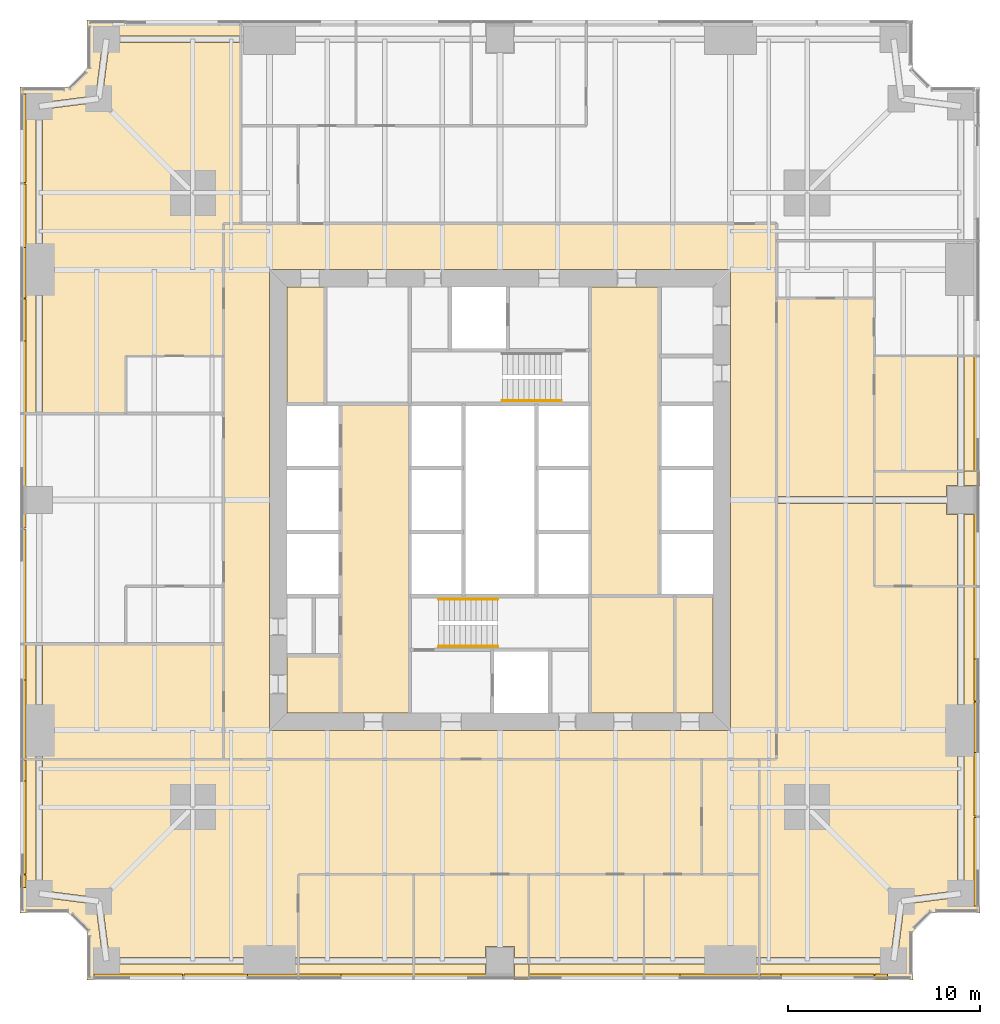
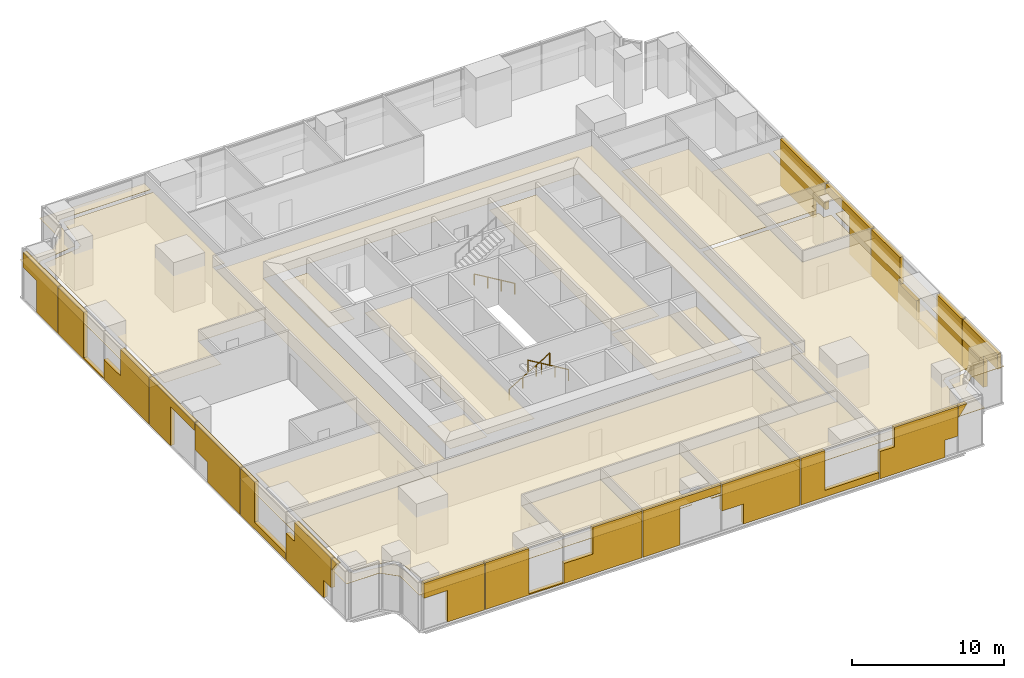
# One storey, part 13 of 14: 53 coverings, 3 railings.
"""IFC4 building model written with IfcOpenShell, lengths in metres."""

from ifc_helpers import new_model, si_unit, direction, frame, origin, origin_2d, place, context, subcontext, project, spatial, polyline, circle, outline, extrude, material, layer, layer_set, type_object, element, save


model = new_model("IFC4")

# Units and contexts
model_context = context("Model", 3, precision=1e-05, world=origin(), true_north=direction((0.0, 1.0)))
body_context = subcontext(model_context, "Body", "Model", "MODEL_VIEW")
ifc_project = project(units=[si_unit("LENGTHUNIT", "METRE"), si_unit("AREAUNIT", "SQUARE_METRE"), si_unit("VOLUMEUNIT", "CUBIC_METRE"), si_unit("PLANEANGLEUNIT", "RADIAN"), si_unit("MASSUNIT", "GRAM", prefix="KILO")], contexts=[model_context])

# Site, building, storey
site_placement = place(None, origin())
site = spatial("IfcSite", under=ifc_project, at=site_placement, CompositionType="ELEMENT")
building_placement = place(site_placement, origin())
building = spatial("IfcBuilding", under=site, at=building_placement, Name="Fenwick Lantern Interchange", CompositionType="ELEMENT")
storey_placement = place(building_placement, frame((0.0, 0.0, 83.0)))
storey = spatial("IfcBuildingStorey", under=building, at=storey_placement, Name="L19", CompositionType="ELEMENT", Elevation=83.0)

# Coverings
ifc_material_1 = material(Name="Mineral fibre acoustic tile on suspended grid")
ifc_layer_1 = layer(ifc_material_1, 0.02001953125)
ifc_layer_set_1 = layer_set([ifc_layer_1], Name="ACOUSTIC TILE CEILING 20")
covering_type_1 = type_object("IfcCoveringType", Name="ACOUSTIC TILE CEILING 20", PredefinedType="CEILING", material=ifc_layer_set_1)
covering_1_placement = place(storey_placement, frame((0.0, 0.0, 2.89990234375)))
element("IfcCovering", 1, at=covering_1_placement, inside=storey, type_object=covering_type_1, Name="Office suite ceiling", PredefinedType="CEILING", context=body_context, shape_type="SweptSolid", body=[
    extrude(outline(polyline([(35.5, 11.5), (1.17236328125, 11.5), (1.17236328125, 4.651611328125), (4.1220703125, 4.27099609375), (4.10009765625, 4.10009765625), (4.27099609375, 4.1220703125), (4.651611328125, 1.17236328125), (13.0, 1.17236328125), (14.5, 1.17236328125), (14.5, 5.5), (35.5, 5.5), (35.5, 11.5)])), origin(), (0.0, 0.0, 1.0), 0.02001953125),
])
covering_2_placement = place(storey_placement, frame((0.0, 0.0, 2.89990234375)))
element("IfcCovering", 2, at=covering_2_placement, inside=storey, type_object=covering_type_1, Name="Office suite ceiling", PredefinedType="CEILING", context=body_context, shape_type="SweptSolid", body=[
    extrude(outline(polyline([(0.0, 11.5), (0.0, 3.5), (2.5, 3.5), (3.5, 2.5), (3.5, 0.0), (14.5, 0.0), (14.5, 0.82763671875), (13.0, 0.82763671875), (4.5, 0.82763671875), (4.5, 1.0), (4.3291015625, 0.97802734375), (3.946044921875, 3.946044921875), (0.97802734375, 4.3291015625), (1.0, 4.5), (0.82763671875, 4.5), (0.82763671875, 11.5), (0.0, 11.5)])), origin(), (0.0, 0.0, 1.0), 0.02001953125),
])
covering_3_placement = place(storey_placement, frame((0.0, 0.0, 2.89990234375)))
element("IfcCovering", 3, at=covering_3_placement, inside=storey, type_object=covering_type_1, Name="Office ceiling", PredefinedType="CEILING", context=body_context, shape_type="SweptSolid", body=[
    extrude(outline(polyline([(14.5, 5.5), (14.5, 1.17236328125), (20.5, 1.17236328125), (20.5, 5.5), (14.5, 5.5)])), origin(), (0.0, 0.0, 1.0), 0.02001953125),
])
covering_4_placement = place(storey_placement, frame((0.0, 0.0, 2.89990234375)))
element("IfcCovering", 4, at=covering_4_placement, inside=storey, type_object=covering_type_1, Name="Office ceiling", PredefinedType="CEILING", context=body_context, shape_type="SweptSolid", body=[
    extrude(outline(polyline([(20.5, 0.0), (20.5, 0.82763671875), (14.5, 0.82763671875), (14.5, 0.0), (20.5, 0.0)])), origin(), (0.0, 0.0, 1.0), 0.02001953125),
])
covering_5_placement = place(storey_placement, frame((0.0, 0.0, 2.89990234375)))
element("IfcCovering", 5, at=covering_5_placement, inside=storey, type_object=covering_type_1, Name="Office ceiling", PredefinedType="CEILING", context=body_context, shape_type="SweptSolid", body=[
    extrude(outline(polyline([(20.5, 5.5), (20.5, 1.17236328125), (24.25, 1.17236328125), (24.25, 1.75), (25.75, 1.75), (25.75, 1.17236328125), (26.5, 1.17236328125), (26.5, 5.5), (20.5, 5.5)])), origin(), (0.0, 0.0, 1.0), 0.02001953125),
])
covering_6_placement = place(storey_placement, frame((0.0, 0.0, 2.89990234375)))
element("IfcCovering", 6, at=covering_6_placement, inside=storey, type_object=covering_type_1, Name="Office ceiling", PredefinedType="CEILING", context=body_context, shape_type="SweptSolid", body=[
    extrude(outline(polyline([(20.5, 0.82763671875), (20.5, 0.0), (24.25, 0.0), (24.25, 0.82763671875), (20.5, 0.82763671875)])), origin(), (0.0, 0.0, 1.0), 0.02001953125),
])
covering_7_placement = place(storey_placement, frame((0.0, 0.0, 2.89990234375)))
element("IfcCovering", 7, at=covering_7_placement, inside=storey, type_object=covering_type_1, Name="Office ceiling", PredefinedType="CEILING", context=body_context, shape_type="SweptSolid", body=[
    extrude(outline(polyline([(26.5, 0.0), (26.5, 0.82763671875), (25.75, 0.82763671875), (25.75, 0.0), (26.5, 0.0)])), origin(), (0.0, 0.0, 1.0), 0.02001953125),
])
covering_8_placement = place(storey_placement, frame((0.0, 0.0, 2.89990234375)))
element("IfcCovering", 8, at=covering_8_placement, inside=storey, type_object=covering_type_1, Name="Office ceiling", PredefinedType="CEILING", context=body_context, shape_type="SweptSolid", body=[
    extrude(outline(polyline([(26.5, 5.5), (26.5, 1.17236328125), (32.5, 1.17236328125), (32.5, 5.5), (26.5, 5.5)])), origin(), (0.0, 0.0, 1.0), 0.02001953125),
])
covering_9_placement = place(storey_placement, frame((0.0, 0.0, 2.89990234375)))
element("IfcCovering", 9, at=covering_9_placement, inside=storey, type_object=covering_type_1, Name="Office ceiling", PredefinedType="CEILING", context=body_context, shape_type="SweptSolid", body=[
    extrude(outline(polyline([(32.5, 0.0), (32.5, 0.82763671875), (26.5, 0.82763671875), (26.5, 0.0), (32.5, 0.0)])), origin(), (0.0, 0.0, 1.0), 0.02001953125),
])
covering_10_placement = place(storey_placement, frame((0.0, 0.0, 2.89990234375)))
element("IfcCovering", 10, at=covering_10_placement, inside=storey, type_object=covering_type_1, Name="Office ceiling", PredefinedType="CEILING", context=body_context, shape_type="SweptSolid", body=[
    extrude(outline(polyline([(32.5, 5.5), (32.5, 1.17236328125), (37.0, 1.17236328125), (38.5, 1.17236328125), (38.5, 5.5), (32.5, 5.5)])), origin(), (0.0, 0.0, 1.0), 0.02001953125),
])
covering_11_placement = place(storey_placement, frame((0.0, 0.0, 2.89990234375)))
element("IfcCovering", 11, at=covering_11_placement, inside=storey, type_object=covering_type_1, Name="Office ceiling", PredefinedType="CEILING", context=body_context, shape_type="SweptSolid", body=[
    extrude(outline(polyline([(38.5, 0.0), (38.5, 0.82763671875), (37.0, 0.82763671875), (32.5, 0.82763671875), (32.5, 0.0), (38.5, 0.0)])), origin(), (0.0, 0.0, 1.0), 0.02001953125),
])
covering_12_placement = place(storey_placement, frame((0.0, 0.0, 2.89990234375)))
element("IfcCovering", 12, at=covering_12_placement, inside=storey, type_object=covering_type_1, Name="Office suite ceiling", PredefinedType="CEILING", context=body_context, shape_type="SweptSolid", body=[
    extrude(outline(polyline([(38.5, 11.5), (38.5, 1.17236328125), (45.348388671875, 1.17236328125), (45.72900390625, 4.1220703125), (45.89990234375, 4.10009765625), (45.8779296875, 4.27099609375), (48.82763671875, 4.651611328125), (48.82763671875, 13.0), (48.82763671875, 20.5), (44.5, 20.5), (44.5, 24.824951171875), (39.39990234375, 24.824951171875), (39.39990234375, 11.5), (38.5, 11.5)])), origin(), (0.0, 0.0, 1.0), 0.02001953125),
])
covering_13_placement = place(storey_placement, frame((0.0, 0.0, 2.89990234375)))
element("IfcCovering", 13, at=covering_13_placement, inside=storey, type_object=covering_type_1, Name="Office suite ceiling", PredefinedType="CEILING", context=body_context, shape_type="SweptSolid", body=[
    extrude(outline(polyline([(39.39990234375, 35.5), (39.39990234375, 25.175048828125), (44.5, 25.175048828125), (44.5, 35.5), (39.39990234375, 35.5)])), origin(), (0.0, 0.0, 1.0), 0.02001953125),
])
covering_14_placement = place(storey_placement, frame((0.0, 0.0, 2.89990234375)))
element("IfcCovering", 14, at=covering_14_placement, inside=storey, type_object=covering_type_1, Name="Office suite ceiling", PredefinedType="CEILING", context=body_context, shape_type="SweptSolid", body=[
    extrude(outline(polyline([(50.0, 3.5), (50.0, 20.5), (49.17236328125, 20.5), (49.17236328125, 13.0), (49.17236328125, 4.5), (49.0, 4.5), (49.02197265625, 4.3291015625), (46.053955078125, 3.946044921875), (45.6708984375, 0.97802734375), (45.5, 1.0), (45.5, 0.82763671875), (38.5, 0.82763671875), (38.5, 0.0), (46.5, 0.0), (46.5, 2.5), (47.5, 3.5), (50.0, 3.5)])), origin(), (0.0, 0.0, 1.0), 0.02001953125),
])
covering_15_placement = place(storey_placement, frame((0.0, 0.0, 2.89990234375)))
element("IfcCovering", 15, at=covering_15_placement, inside=storey, type_object=covering_type_1, Name="Office ceiling", PredefinedType="CEILING", context=body_context, shape_type="SweptSolid", body=[
    extrude(outline(polyline([(44.5, 20.5), (48.82763671875, 20.5), (48.82763671875, 24.25), (48.25, 24.25), (48.25, 24.824951171875), (44.5, 24.824951171875), (44.5, 20.5)])), origin(), (0.0, 0.0, 1.0), 0.02001953125),
])
covering_16_placement = place(storey_placement, frame((0.0, 0.0, 2.89990234375)))
element("IfcCovering", 16, at=covering_16_placement, inside=storey, type_object=covering_type_1, Name="Office ceiling", PredefinedType="CEILING", context=body_context, shape_type="SweptSolid", body=[
    extrude(outline(polyline([(44.5, 26.5), (44.5, 25.175048828125), (48.25, 25.175048828125), (48.25, 25.75), (48.82763671875, 25.75), (48.82763671875, 26.5), (44.5, 26.5)])), origin(), (0.0, 0.0, 1.0), 0.02001953125),
])
covering_17_placement = place(storey_placement, frame((0.0, 0.0, 2.89990234375)))
element("IfcCovering", 17, at=covering_17_placement, inside=storey, type_object=covering_type_1, Name="Office ceiling", PredefinedType="CEILING", context=body_context, shape_type="SweptSolid", body=[
    extrude(outline(polyline([(49.17236328125, 20.5), (50.0, 20.5), (50.0, 24.25), (49.17236328125, 24.25), (49.17236328125, 20.5)])), origin(), (0.0, 0.0, 1.0), 0.02001953125),
])
covering_18_placement = place(storey_placement, frame((0.0, 0.0, 2.89990234375)))
element("IfcCovering", 18, at=covering_18_placement, inside=storey, type_object=covering_type_1, Name="Office ceiling", PredefinedType="CEILING", context=body_context, shape_type="SweptSolid", body=[
    extrude(outline(polyline([(50.0, 26.5), (49.17236328125, 26.5), (49.17236328125, 25.75), (50.0, 25.75), (50.0, 26.5)])), origin(), (0.0, 0.0, 1.0), 0.02001953125),
])
covering_19_placement = place(storey_placement, frame((0.0, 0.0, 2.89990234375)))
element("IfcCovering", 19, at=covering_19_placement, inside=storey, type_object=covering_type_1, Name="Meeting room ceiling", PredefinedType="CEILING", context=body_context, shape_type="SweptSolid", body=[
    extrude(outline(polyline([(44.5, 26.5), (48.82763671875, 26.5), (48.82763671875, 32.5), (44.5, 32.5), (44.5, 26.5)])), origin(), (0.0, 0.0, 1.0), 0.02001953125),
])
covering_20_placement = place(storey_placement, frame((0.0, 0.0, 2.89990234375)))
element("IfcCovering", 20, at=covering_20_placement, inside=storey, type_object=covering_type_1, Name="Meeting room ceiling", PredefinedType="CEILING", context=body_context, shape_type="SweptSolid", body=[
    extrude(outline(polyline([(50.0, 32.5), (49.17236328125, 32.5), (49.17236328125, 26.5), (50.0, 26.5), (50.0, 32.5)])), origin(), (0.0, 0.0, 1.0), 0.02001953125),
])
covering_21_placement = place(storey_placement, frame((0.0, 0.0, 2.89990234375)))
element("IfcCovering", 21, at=covering_21_placement, inside=storey, type_object=covering_type_1, Name="Office suite ceiling", PredefinedType="CEILING", context=body_context, shape_type="SweptSolid", body=[
    extrude(outline(polyline([(1.17236328125, 29.5), (5.5, 29.5), (5.5, 32.5), (10.60009765625, 32.5), (10.60009765625, 39.39990234375), (11.5, 39.39990234375), (11.5, 48.82763671875), (4.651611328125, 48.82763671875), (4.27099609375, 45.8779296875), (4.10009765625, 45.89990234375), (4.1220703125, 45.72900390625), (1.17236328125, 45.348388671875), (1.17236328125, 37.0), (1.17236328125, 29.5)])), origin(), (0.0, 0.0, 1.0), 0.02001953125),
])
covering_22_placement = place(storey_placement, frame((0.0, 0.0, 2.89990234375)))
element("IfcCovering", 22, at=covering_22_placement, inside=storey, type_object=covering_type_1, Name="Office suite ceiling", PredefinedType="CEILING", context=body_context, shape_type="SweptSolid", body=[
    extrude(outline(polyline([(0.0, 29.5), (0.82763671875, 29.5), (0.82763671875, 37.0), (0.82763671875, 45.5), (1.0, 45.5), (0.97802734375, 45.6708984375), (3.946044921875, 46.053955078125), (4.3291015625, 49.02197265625), (4.5, 49.0), (4.5, 49.17236328125), (11.5, 49.17236328125), (11.5, 50.0), (3.5, 50.0), (3.5, 47.5), (2.5, 46.5), (0.0, 46.5), (0.0, 29.5)])), origin(), (0.0, 0.0, 1.0), 0.02001953125),
])
covering_23_placement = place(storey_placement, frame((0.0, 0.0, 2.89990234375)))
element("IfcCovering", 23, at=covering_23_placement, inside=storey, type_object=covering_type_1, Name="Office suite ceiling", PredefinedType="CEILING", context=body_context, shape_type="SweptSolid", body=[
    extrude(outline(polyline([(10.60009765625, 17.5), (1.17236328125, 17.5), (1.17236328125, 13.0), (1.17236328125, 11.5), (10.60009765625, 11.5), (10.60009765625, 17.5)])), origin(), (0.0, 0.0, 1.0), 0.02001953125),
])
covering_24_placement = place(storey_placement, frame((0.0, 0.0, 2.89990234375)))
element("IfcCovering", 24, at=covering_24_placement, inside=storey, type_object=covering_type_1, Name="Office suite ceiling", PredefinedType="CEILING", context=body_context, shape_type="SweptSolid", body=[
    extrude(outline(polyline([(0.0, 17.5), (0.0, 11.5), (0.82763671875, 11.5), (0.82763671875, 13.0), (0.82763671875, 17.5), (0.0, 17.5)])), origin(), (0.0, 0.0, 1.0), 0.02001953125),
])
ifc_material_2 = material(Name="Granite cladding, warm grey flamed finish, on aluminium carrier frame", Category="masonry")
ifc_layer_2 = layer(ifc_material_2, 0.300048828125)
ifc_layer_set_2 = layer_set([ifc_layer_2], Name="BRACE CASING PANEL 300")
covering_type_2 = type_object("IfcCoveringType", Name="BRACE CASING PANEL 300", PredefinedType="CLADDING", material=ifc_layer_set_2)
covering_25_placement = place(storey_placement, frame((3.60009765625, 0.10009765625, 0.0), z_axis=(0.0, 0.0, 1.0), x_axis=(1.0, 0.0, 0.0)))
element("IfcCovering", 25, at=covering_25_placement, inside=storey, type_object=covering_type_2, Name="Brace casing 01 bay 00a", PredefinedType="CLADDING", context=body_context, shape_type="SweptSolid", body=[
    extrude(outline(polyline([(2.080078125, 0.0), (4.867431640625, 0.0), (4.867431640625, 3.75), (0.264892578125, 3.75), (0.264892578125, 2.534912109375), (2.080078125, 2.534912109375), (2.080078125, 0.0)])), frame((0.0, 0.2001953125, 0.0), z_axis=(0.0, -1.0, 0.0), x_axis=(1.0, 0.0, 0.0)), (0.0, 0.0, 1.0), 0.300048828125),
])
covering_26_placement = place(storey_placement, frame((3.60009765625, 0.10009765625, 0.0), z_axis=(0.0, 0.0, 1.0), x_axis=(1.0, 0.0, 0.0)))
element("IfcCovering", 26, at=covering_26_placement, inside=storey, type_object=covering_type_2, Name="Brace casing 01 bay 01a", PredefinedType="CLADDING", context=body_context, shape_type="SweptSolid", body=[
    extrude(outline(polyline([(4.9326171875, 0.0), (10.867431640625, 0.0), (10.867431640625, 0.093505859375), (8.251953125, 0.093505859375), (8.251953125, 3.75), (4.9326171875, 3.75), (4.9326171875, 0.0)])), frame((0.0, 0.2001953125, 0.0), z_axis=(0.0, -1.0, 0.0), x_axis=(1.0, 0.0, 0.0)), (0.0, 0.0, 1.0), 0.300048828125),
])
covering_27_placement = place(storey_placement, frame((3.60009765625, 0.10009765625, 0.0), z_axis=(0.0, 0.0, 1.0), x_axis=(1.0, 0.0, 0.0)))
element("IfcCovering", 27, at=covering_27_placement, inside=storey, type_object=covering_type_2, Name="Brace casing 01 bay 02a", PredefinedType="CLADDING", context=body_context, shape_type="SweptSolid", body=[
    extrude(outline(polyline([(10.9326171875, 0.0), (16.867431640625, 0.0), (16.867431640625, 3.75), (13.107421875, 3.75), (13.107421875, 1.599365234375), (10.9326171875, 1.599365234375), (10.9326171875, 0.0)])), frame((0.0, 0.2001953125, 0.0), z_axis=(0.0, -1.0, 0.0), x_axis=(1.0, 0.0, 0.0)), (0.0, 0.0, 1.0), 0.300048828125),
])
covering_28_placement = place(storey_placement, frame((3.60009765625, 0.10009765625, 0.0), z_axis=(0.0, 0.0, 1.0), x_axis=(1.0, 0.0, 0.0)))
element("IfcCovering", 28, at=covering_28_placement, inside=storey, type_object=covering_type_2, Name="Brace casing 01 bay 03a", PredefinedType="CLADDING", context=body_context, shape_type="SweptSolid", body=[
    extrude(outline(polyline([(16.9326171875, 0.0), (19.737548828125, 0.0), (19.737548828125, 3.09912109375), (22.867431640625, 3.09912109375), (22.867431640625, 3.75), (16.9326171875, 3.75), (16.9326171875, 0.0)])), frame((0.0, 0.2001953125, 0.0), z_axis=(0.0, -1.0, 0.0), x_axis=(1.0, 0.0, 0.0)), (0.0, 0.0, 1.0), 0.300048828125),
])
covering_29_placement = place(storey_placement, frame((3.60009765625, 0.10009765625, 0.0), z_axis=(0.0, 0.0, 1.0), x_axis=(1.0, 0.0, 0.0)))
element("IfcCovering", 29, at=covering_29_placement, inside=storey, type_object=covering_type_2, Name="Brace casing 01 bay 04a", PredefinedType="CLADDING", context=body_context, shape_type="SweptSolid", body=[
    extrude(outline(polyline([(24.5625, 0.0), (28.867431640625, 0.0), (28.867431640625, 3.75), (22.9326171875, 3.75), (22.9326171875, 1.61328125), (24.5625, 1.61328125), (24.5625, 0.0)])), frame((0.0, 0.2001953125, 0.0), z_axis=(0.0, -1.0, 0.0), x_axis=(1.0, 0.0, 0.0)), (0.0, 0.0, 1.0), 0.300048828125),
])
covering_30_placement = place(storey_placement, frame((3.60009765625, 0.10009765625, 0.0), z_axis=(0.0, 0.0, 1.0), x_axis=(1.0, 0.0, 0.0)))
element("IfcCovering", 30, at=covering_30_placement, inside=storey, type_object=covering_type_2, Name="Brace casing 01 bay 05a", PredefinedType="CLADDING", context=body_context, shape_type="SweptSolid", body=[
    extrude(outline(polyline([(28.9326171875, 0.0), (34.867431640625, 0.0), (34.867431640625, 0.5400390625), (30.762451171875, 0.5400390625), (30.762451171875, 3.75), (28.9326171875, 3.75), (28.9326171875, 0.0)])), frame((0.0, 0.2001953125, 0.0), z_axis=(0.0, -1.0, 0.0), x_axis=(1.0, 0.0, 0.0)), (0.0, 0.0, 1.0), 0.300048828125),
])
covering_31_placement = place(storey_placement, frame((3.60009765625, 0.10009765625, 0.0), z_axis=(0.0, 0.0, 1.0), x_axis=(1.0, 0.0, 0.0)))
element("IfcCovering", 31, at=covering_31_placement, inside=storey, type_object=covering_type_2, Name="Brace casing 01 bay 06a", PredefinedType="CLADDING", context=body_context, shape_type="SweptSolid", body=[
    extrude(outline(polyline([(34.9326171875, 0.0), (39.88720703125, 0.0), (39.88720703125, 1.370361328125), (40.867431640625, 1.370361328125), (40.867431640625, 3.75), (36.047607421875, 3.75), (36.047607421875, 2.190185546875), (34.9326171875, 2.190185546875), (34.9326171875, 0.0)])), frame((0.0, 0.2001953125, 0.0), z_axis=(0.0, -1.0, 0.0), x_axis=(1.0, 0.0, 0.0)), (0.0, 0.0, 1.0), 0.300048828125),
])
covering_32_placement = place(storey_placement, frame((3.60009765625, 0.10009765625, 2.83203125), z_axis=(0.0, 0.0, 1.0), x_axis=(1.0, 0.0, 0.0)))
element("IfcCovering", 32, at=covering_32_placement, inside=storey, type_object=covering_type_2, Name="Brace casing 01 bay 07a", PredefinedType="CLADDING", context=body_context, shape_type="SweptSolid", body=[
    extrude(outline(polyline([(40.9326171875, 0.0), (41.589111328125, 0.91796875), (40.9326171875, 0.91796875), (40.9326171875, 0.0)])), frame((0.0, 0.2001953125, 0.0), z_axis=(0.0, -1.0, 0.0), x_axis=(1.0, 0.0, 0.0)), (0.0, 0.0, 1.0), 0.300048828125),
])
covering_33_placement = place(storey_placement, frame((49.89990234375, 3.60009765625, 0.0), z_axis=(0.0, 0.0, 1.0), x_axis=(0.0, 1.0, 0.0)))
element("IfcCovering", 33, at=covering_33_placement, inside=storey, type_object=covering_type_2, Name="Brace casing 05 bay 00a", PredefinedType="CLADDING", context=body_context, shape_type="SweptSolid", body=[
    extrude(outline(polyline([(2.080078125, 0.0), (4.867431640625, 0.0), (4.867431640625, 3.75), (0.264892578125, 3.75), (0.264892578125, 2.534912109375), (2.080078125, 2.534912109375), (2.080078125, 0.0)])), frame((0.0, 0.2001953125, 0.0), z_axis=(0.0, -1.0, 0.0), x_axis=(1.0, 0.0, 0.0)), (0.0, 0.0, 1.0), 0.300048828125),
])
covering_34_placement = place(storey_placement, frame((49.89990234375, 3.60009765625, 0.0), z_axis=(0.0, 0.0, 1.0), x_axis=(0.0, 1.0, 0.0)))
element("IfcCovering", 34, at=covering_34_placement, inside=storey, type_object=covering_type_2, Name="Brace casing 05 bay 01a", PredefinedType="CLADDING", context=body_context, shape_type="SweptSolid", body=[
    extrude(outline(polyline([(4.9326171875, 0.0), (10.867431640625, 0.0), (10.867431640625, 0.093505859375), (8.251953125, 0.093505859375), (8.251953125, 3.75), (4.9326171875, 3.75), (4.9326171875, 0.0)])), frame((0.0, 0.2001953125, 0.0), z_axis=(0.0, -1.0, 0.0), x_axis=(1.0, 0.0, 0.0)), (0.0, 0.0, 1.0), 0.300048828125),
])
covering_35_placement = place(storey_placement, frame((49.89990234375, 3.60009765625, 0.0), z_axis=(0.0, 0.0, 1.0), x_axis=(0.0, 1.0, 0.0)))
element("IfcCovering", 35, at=covering_35_placement, inside=storey, type_object=covering_type_2, Name="Brace casing 05 bay 02a", PredefinedType="CLADDING", context=body_context, shape_type="SweptSolid", body=[
    extrude(outline(polyline([(10.9326171875, 0.0), (16.867431640625, 0.0), (16.867431640625, 3.75), (13.107421875, 3.75), (13.107421875, 1.599365234375), (10.9326171875, 1.599365234375), (10.9326171875, 0.0)])), frame((0.0, 0.2001953125, 0.0), z_axis=(0.0, -1.0, 0.0), x_axis=(1.0, 0.0, 0.0)), (0.0, 0.0, 1.0), 0.300048828125),
])
covering_36_placement = place(storey_placement, frame((49.89990234375, 3.60009765625, 0.0), z_axis=(0.0, 0.0, 1.0), x_axis=(0.0, 1.0, 0.0)))
element("IfcCovering", 36, at=covering_36_placement, inside=storey, type_object=covering_type_2, Name="Brace casing 05 bay 03a", PredefinedType="CLADDING", context=body_context, shape_type="SweptSolid", body=[
    extrude(outline(polyline([(16.9326171875, 0.0), (19.737548828125, 0.0), (19.737548828125, 3.09912109375), (22.867431640625, 3.09912109375), (22.867431640625, 3.75), (16.9326171875, 3.75), (16.9326171875, 0.0)])), frame((0.0, 0.2001953125, 0.0), z_axis=(0.0, -1.0, 0.0), x_axis=(1.0, 0.0, 0.0)), (0.0, 0.0, 1.0), 0.300048828125),
])
covering_37_placement = place(storey_placement, frame((49.89990234375, 3.60009765625, 0.0), z_axis=(0.0, 0.0, 1.0), x_axis=(0.0, 1.0, 0.0)))
element("IfcCovering", 37, at=covering_37_placement, inside=storey, type_object=covering_type_2, Name="Brace casing 05 bay 04a", PredefinedType="CLADDING", context=body_context, shape_type="SweptSolid", body=[
    extrude(outline(polyline([(24.5625, 0.0), (28.867431640625, 0.0), (28.867431640625, 3.75), (22.9326171875, 3.75), (22.9326171875, 1.61328125), (24.5625, 1.61328125), (24.5625, 0.0)])), frame((0.0, 0.2001953125, 0.0), z_axis=(0.0, -1.0, 0.0), x_axis=(1.0, 0.0, 0.0)), (0.0, 0.0, 1.0), 0.300048828125),
])
covering_38_placement = place(storey_placement, frame((0.10009765625, 46.39990234375, 0.0), z_axis=(0.0, 0.0, 1.0), x_axis=(0.0, -1.0, 0.0)))
element("IfcCovering", 38, at=covering_38_placement, inside=storey, type_object=covering_type_2, Name="Brace casing 13 bay 00a", PredefinedType="CLADDING", context=body_context, shape_type="SweptSolid", body=[
    extrude(outline(polyline([(2.080078125, 0.0), (4.867431640625, 0.0), (4.867431640625, 3.75), (0.264892578125, 3.75), (0.264892578125, 2.534912109375), (2.080078125, 2.534912109375), (2.080078125, 0.0)])), frame((0.0, 0.2001953125, 0.0), z_axis=(0.0, -1.0, 0.0), x_axis=(1.0, 0.0, 0.0)), (0.0, 0.0, 1.0), 0.300048828125),
])
covering_39_placement = place(storey_placement, frame((0.10009765625, 46.39990234375, 0.0), z_axis=(0.0, 0.0, 1.0), x_axis=(0.0, -1.0, 0.0)))
element("IfcCovering", 39, at=covering_39_placement, inside=storey, type_object=covering_type_2, Name="Brace casing 13 bay 01a", PredefinedType="CLADDING", context=body_context, shape_type="SweptSolid", body=[
    extrude(outline(polyline([(4.9326171875, 0.0), (10.867431640625, 0.0), (10.867431640625, 0.093505859375), (8.251953125, 0.093505859375), (8.251953125, 3.75), (4.9326171875, 3.75), (4.9326171875, 0.0)])), frame((0.0, 0.2001953125, 0.0), z_axis=(0.0, -1.0, 0.0), x_axis=(1.0, 0.0, 0.0)), (0.0, 0.0, 1.0), 0.300048828125),
])
covering_40_placement = place(storey_placement, frame((0.10009765625, 46.39990234375, 0.0), z_axis=(0.0, 0.0, 1.0), x_axis=(0.0, -1.0, 0.0)))
element("IfcCovering", 40, at=covering_40_placement, inside=storey, type_object=covering_type_2, Name="Brace casing 13 bay 02a", PredefinedType="CLADDING", context=body_context, shape_type="SweptSolid", body=[
    extrude(outline(polyline([(10.9326171875, 0.0), (16.867431640625, 0.0), (16.867431640625, 3.75), (13.107421875, 3.75), (13.107421875, 1.599365234375), (10.9326171875, 1.599365234375), (10.9326171875, 0.0)])), frame((0.0, 0.2001953125, 0.0), z_axis=(0.0, -1.0, 0.0), x_axis=(1.0, 0.0, 0.0)), (0.0, 0.0, 1.0), 0.300048828125),
])
covering_41_placement = place(storey_placement, frame((0.10009765625, 46.39990234375, 0.0), z_axis=(0.0, 0.0, 1.0), x_axis=(0.0, -1.0, 0.0)))
element("IfcCovering", 41, at=covering_41_placement, inside=storey, type_object=covering_type_2, Name="Brace casing 13 bay 03a", PredefinedType="CLADDING", context=body_context, shape_type="SweptSolid", body=[
    extrude(outline(polyline([(16.9326171875, 0.0), (19.737548828125, 0.0), (19.737548828125, 3.09912109375), (22.867431640625, 3.09912109375), (22.867431640625, 3.75), (16.9326171875, 3.75), (16.9326171875, 0.0)])), frame((0.0, 0.2001953125, 0.0), z_axis=(0.0, -1.0, 0.0), x_axis=(1.0, 0.0, 0.0)), (0.0, 0.0, 1.0), 0.300048828125),
])
covering_42_placement = place(storey_placement, frame((0.10009765625, 46.39990234375, 0.0), z_axis=(0.0, 0.0, 1.0), x_axis=(0.0, -1.0, 0.0)))
element("IfcCovering", 42, at=covering_42_placement, inside=storey, type_object=covering_type_2, Name="Brace casing 13 bay 04a", PredefinedType="CLADDING", context=body_context, shape_type="SweptSolid", body=[
    extrude(outline(polyline([(24.5625, 0.0), (28.867431640625, 0.0), (28.867431640625, 3.75), (22.9326171875, 3.75), (22.9326171875, 1.61328125), (24.5625, 1.61328125), (24.5625, 0.0)])), frame((0.0, 0.2001953125, 0.0), z_axis=(0.0, -1.0, 0.0), x_axis=(1.0, 0.0, 0.0)), (0.0, 0.0, 1.0), 0.300048828125),
])
covering_43_placement = place(storey_placement, frame((0.10009765625, 46.39990234375, 0.0), z_axis=(0.0, 0.0, 1.0), x_axis=(0.0, -1.0, 0.0)))
element("IfcCovering", 43, at=covering_43_placement, inside=storey, type_object=covering_type_2, Name="Brace casing 13 bay 05a", PredefinedType="CLADDING", context=body_context, shape_type="SweptSolid", body=[
    extrude(outline(polyline([(28.9326171875, 0.0), (34.867431640625, 0.0), (34.867431640625, 0.5400390625), (30.762451171875, 0.5400390625), (30.762451171875, 3.75), (28.9326171875, 3.75), (28.9326171875, 0.0)])), frame((0.0, 0.2001953125, 0.0), z_axis=(0.0, -1.0, 0.0), x_axis=(1.0, 0.0, 0.0)), (0.0, 0.0, 1.0), 0.300048828125),
])
covering_44_placement = place(storey_placement, frame((0.10009765625, 46.39990234375, 0.0), z_axis=(0.0, 0.0, 1.0), x_axis=(0.0, -1.0, 0.0)))
element("IfcCovering", 44, at=covering_44_placement, inside=storey, type_object=covering_type_2, Name="Brace casing 13 bay 06a", PredefinedType="CLADDING", context=body_context, shape_type="SweptSolid", body=[
    extrude(outline(polyline([(34.9326171875, 0.0), (39.88720703125, 0.0), (39.88720703125, 1.370361328125), (40.867431640625, 1.370361328125), (40.867431640625, 3.75), (36.047607421875, 3.75), (36.047607421875, 2.190185546875), (34.9326171875, 2.190185546875), (34.9326171875, 0.0)])), frame((0.0, 0.2001953125, 0.0), z_axis=(0.0, -1.0, 0.0), x_axis=(1.0, 0.0, 0.0)), (0.0, 0.0, 1.0), 0.300048828125),
])
covering_45_placement = place(storey_placement, frame((0.10009765625, 46.39990234375, 2.83203125), z_axis=(0.0, 0.0, 1.0), x_axis=(0.0, -1.0, 0.0)))
element("IfcCovering", 45, at=covering_45_placement, inside=storey, type_object=covering_type_2, Name="Brace casing 13 bay 07a", PredefinedType="CLADDING", context=body_context, shape_type="SweptSolid", body=[
    extrude(outline(polyline([(40.9326171875, 0.0), (41.589111328125, 0.91796875), (40.9326171875, 0.91796875), (40.9326171875, 0.0)])), frame((0.0, 0.2001953125, 0.0), z_axis=(0.0, -1.0, 0.0), x_axis=(1.0, 0.0, 0.0)), (0.0, 0.0, 1.0), 0.300048828125),
])

# Railings
ifc_material_3 = material(Name="Stainless steel handrail", Category="steel")
railing_type = type_object("IfcRailingType", Name="HANDRAIL 900", PredefinedType="HANDRAIL", material=ifc_material_3)
railing_placement = place(storey_placement, frame((21.800048828125, 19.825927734375, 0.166748046875)))
element("IfcRailing", 46, at=railing_placement, inside=storey, type_object=railing_type, Name="L19/STAIR/ST1/HR1", PredefinedType="HANDRAIL", context=body_context, shape_type="SweptSolid", body=[
    extrude(circle(Radius=0.02392578125, at=origin_2d()), frame((0.0, 0.0, 0.8759765625), z_axis=(0.859290745958, 0.0, 0.51148745235), x_axis=(0.0, 1.0, 0.0)), (0.0, 0.0, 1.0), 3.584228515625),
    extrude(circle(Radius=0.02099609375, at=origin_2d()), origin(), (0.0, 0.0, 1.0), 0.851806640625),
    extrude(circle(Radius=0.02099609375, at=origin_2d()), frame((1.026611328125, 0.0, 0.611083984375)), (0.0, 0.0, 1.0), 0.851806640625),
    extrude(circle(Radius=0.02099609375, at=origin_2d()), frame((2.05322265625, 0.0, 1.22216796875)), (0.0, 0.0, 1.0), 0.851806640625),
    extrude(circle(Radius=0.02099609375, at=origin_2d()), frame((3.079833984375, 0.0, 1.833251953125)), (0.0, 0.0, 1.0), 0.851806640625),
])
for number, where, name in (
    (47, (24.8798828125, 17.3740234375, 2.166748046875), "L19/STAIR/ST1/HR2"),
    (48, (28.199951171875, 30.174072265625, 0.166748046875), "L19/STAIR/ST2/HR1"),
):
    element("IfcRailing", number, at=place(storey_placement, frame(where)), inside=storey, type_object=railing_type, Name=name, PredefinedType="HANDRAIL", context=body_context, shape_type="SweptSolid", body=[
        extrude(circle(Radius=0.02392578125, at=origin_2d()), frame((0.0, 0.0, 0.8759765625), z_axis=(-0.859290745958, 0.0, 0.51148745235), x_axis=(0.0, -1.0, 0.0)), (0.0, 0.0, 1.0), 3.584228515625),
        extrude(circle(Radius=0.02099609375, at=origin_2d()), origin(), (0.0, 0.0, 1.0), 0.851806640625),
        extrude(circle(Radius=0.02099609375, at=origin_2d()), frame((-1.026611328125, 0.0, 0.611083984375)), (0.0, 0.0, 1.0), 0.851806640625),
        extrude(circle(Radius=0.02099609375, at=origin_2d()), frame((-2.05322265625, 0.0, 1.22216796875)), (0.0, 0.0, 1.0), 0.851806640625),
        extrude(circle(Radius=0.02099609375, at=origin_2d()), frame((-3.079833984375, 0.0, 1.833251953125)), (0.0, 0.0, 1.0), 0.851806640625),
    ])

# Coverings
ifc_material_4 = material(Name="Moisture resistant gypsum board on suspended frame, painted")
ifc_layer_3 = layer(ifc_material_4, 0.014892578125)
ifc_layer_set_3 = layer_set([ifc_layer_3], Name="MOISTURE RESISTANT CEILING 15")
covering_type_3 = type_object("IfcCoveringType", Name="MOISTURE RESISTANT CEILING 15", PredefinedType="CEILING", material=ifc_layer_set_3)
covering_46_placement = place(storey_placement, frame((0.0, 0.0, 2.60009765625)))
element("IfcCovering", 49, at=covering_46_placement, inside=storey, type_object=covering_type_3, Name="Women's WC ceiling", PredefinedType="CEILING", context=body_context, shape_type="SweptSolid", body=[
    extrude(outline(polyline([(29.699951171875, 13.89990234375), (34.10009765625, 13.89990234375), (34.10009765625, 20.0), (29.699951171875, 20.0), (29.699951171875, 13.89990234375)])), origin(), (0.0, 0.0, 1.0), 0.014892578125),
])
covering_47_placement = place(storey_placement, frame((0.0, 0.0, 2.60009765625)))
element("IfcCovering", 50, at=covering_47_placement, inside=storey, type_object=covering_type_3, Name="Men's WC ceiling", PredefinedType="CEILING", context=body_context, shape_type="SweptSolid", body=[
    extrude(outline(polyline([(34.10009765625, 13.89990234375), (36.10009765625, 13.89990234375), (36.10009765625, 20.0), (34.10009765625, 20.0), (34.10009765625, 13.89990234375)])), origin(), (0.0, 0.0, 1.0), 0.014892578125),
])
covering_48_placement = place(storey_placement, frame((0.0, 0.0, 2.60009765625)))
element("IfcCovering", 51, at=covering_48_placement, inside=storey, type_object=covering_type_3, Name="Accessible WC ceiling", PredefinedType="CEILING", context=body_context, shape_type="SweptSolid", body=[
    extrude(outline(polyline([(13.89990234375, 13.89990234375), (16.699951171875, 13.89990234375), (16.699951171875, 16.89990234375), (13.89990234375, 16.89990234375), (13.89990234375, 13.89990234375)])), origin(), (0.0, 0.0, 1.0), 0.014892578125),
])
covering_49_placement = place(storey_placement, frame((0.0, 0.0, 2.60009765625)))
element("IfcCovering", 52, at=covering_49_placement, inside=storey, type_object=covering_type_3, Name="Men's WC ceiling", PredefinedType="CEILING", context=body_context, shape_type="SweptSolid", body=[
    extrude(outline(polyline([(15.89990234375, 36.10009765625), (13.89990234375, 36.10009765625), (13.89990234375, 30.0), (15.89990234375, 30.0), (15.89990234375, 36.10009765625)])), origin(), (0.0, 0.0, 1.0), 0.014892578125),
])
covering_50_placement = place(storey_placement, frame((0.0, 0.0, 2.699951171875)))
element("IfcCovering", 53, at=covering_50_placement, inside=storey, type_object=covering_type_3, Name="Pantry ceiling", PredefinedType="CEILING", context=body_context, shape_type="SweptSolid", body=[
    extrude(outline(polyline([(35.5, 5.5), (38.5, 5.5), (38.5, 11.5), (35.5, 11.5), (35.5, 5.5)])), origin(), (0.0, 0.0, 1.0), 0.01513671875),
])
ifc_material_5 = material(Name="Gypsum plasterboard on suspended frame, painted")
ifc_layer_4 = layer(ifc_material_5, 0.014892578125)
ifc_layer_set_4 = layer_set([ifc_layer_4], Name="PLASTERBOARD CEILING 15")
covering_type_4 = type_object("IfcCoveringType", Name="PLASTERBOARD CEILING 15", PredefinedType="CEILING", material=ifc_layer_set_4)
covering_51_placement = place(storey_placement, frame((0.0, 0.0, 2.800048828125)))
element("IfcCovering", 54, at=covering_51_placement, inside=storey, type_object=covering_type_4, Name="Lift lobby ceiling", PredefinedType="CEILING", context=body_context, shape_type="SweptSolid", body=[
    extrude(outline(polyline([(16.699951171875, 13.89990234375), (20.300048828125, 13.89990234375), (20.300048828125, 30.0), (16.699951171875, 30.0), (16.699951171875, 13.89990234375)])), origin(), (0.0, 0.0, 1.0), 0.014892578125),
])
covering_52_placement = place(storey_placement, frame((0.0, 0.0, 2.800048828125)))
element("IfcCovering", 55, at=covering_52_placement, inside=storey, type_object=covering_type_4, Name="Lift lobby ceiling", PredefinedType="CEILING", context=body_context, shape_type="SweptSolid", body=[
    extrude(outline(polyline([(33.300048828125, 36.10009765625), (29.699951171875, 36.10009765625), (29.699951171875, 20.0), (33.300048828125, 20.0), (33.300048828125, 36.10009765625)])), origin(), (0.0, 0.0, 1.0), 0.014892578125),
])
covering_53_placement = place(storey_placement, frame((0.0, 0.0, 2.60009765625)))
element("IfcCovering", 56, at=covering_53_placement, inside=storey, type_object=covering_type_4, Name="Corridor ceiling", PredefinedType="CEILING", context=body_context, shape_type="SweptSolid", body=[
    extrude(outline(polyline([(10.60009765625, 11.5), (39.39990234375, 11.5), (39.39990234375, 39.39990234375), (10.60009765625, 39.39990234375), (10.60009765625, 11.5)]), holes=[polyline([(13.0, 13.0), (13.0, 37.0), (37.0, 37.0), (37.0, 13.0), (13.0, 13.0)])]), origin(), (0.0, 0.0, 1.0), 0.014892578125),
])

save(model, "model.ifc")
